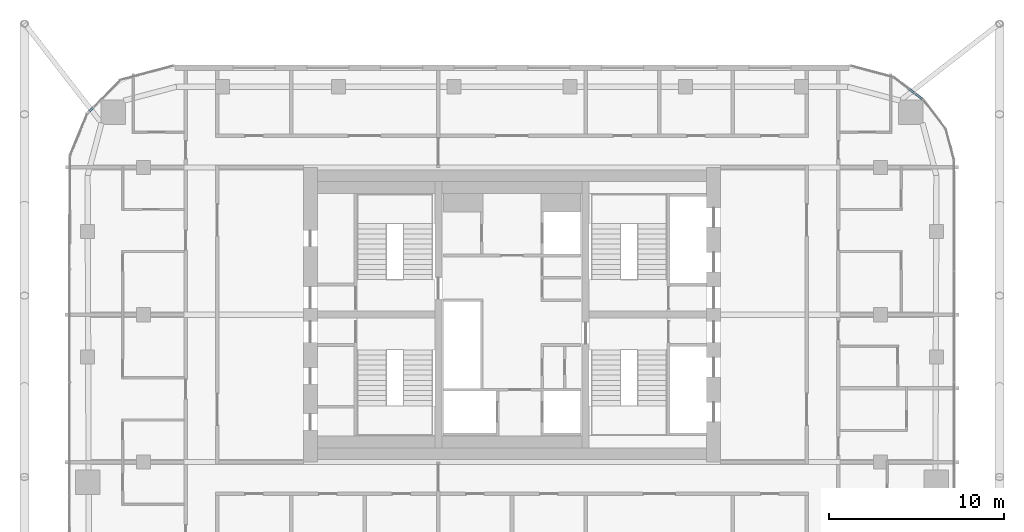
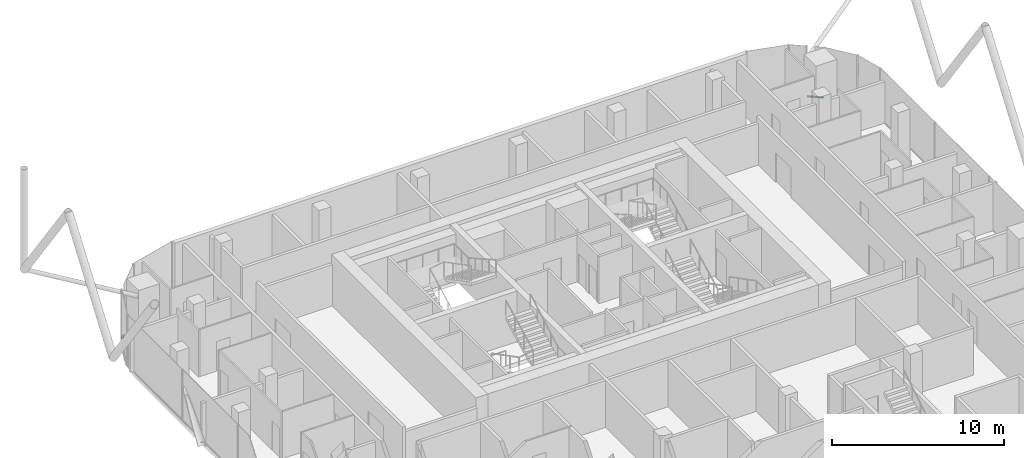
# One storey, part 13 of 28: 3 members, 3 elements without a shape of their own.
"""IFC4 building model written with IfcOpenShell, lengths in metres."""

import ifcopenshell
import ifcopenshell.guid

model = None  # the IFC model being written
_history = None  # IfcOwnerHistory: only IFC2X3 demands one
_inside = {}  # id of a spatial element -> (the spatial element, [elements in it])
_under = {}  # id of a project, library or spatial element -> (it, [spatial elements below it])
_declared = {}  # id of a project -> (the project, [libraries it declares])
_typed = {}  # id of a type object -> (the type object, [elements of that type])
_made_of = {}  # id of a material, layer set ... -> (it, [elements and type objects made of it])


def new_model(schema):
    """Start an empty IFC model of exactly this schema.

    Asked for "IFC4X3", IfcOpenShell would pick the latest addendum, in which some entities
    have other attributes; the version numbers below select the first issue.
    IFC2X3 requires an IfcOwnerHistory on every rooted entity: one is made here for all.
    """
    global model, _history
    if schema == "IFC4X3":
        model = ifcopenshell.file(schema_version=(4, 3, 0, 0))
    else:
        model = ifcopenshell.file(schema=schema)
    _inside.clear()
    _under.clear()
    _declared.clear()
    _typed.clear()
    _made_of.clear()
    _history = None
    if model.schema == "IFC2X3":
        org = make("IfcOrganization", Name="unknown")
        user = make(
            "IfcPersonAndOrganization",
            ThePerson=make("IfcPerson", FamilyName="unknown"),
            TheOrganization=org,
        )
        app = make(
            "IfcApplication",
            ApplicationDeveloper=org,
            Version="unknown",
            ApplicationFullName="unknown",
            ApplicationIdentifier="unknown",
        )
        _history = make(
            "IfcOwnerHistory",
            OwningUser=user,
            OwningApplication=app,
            ChangeAction="ADDED",
            CreationDate=0,
        )
    return model


def make(cls, **values):
    """One entity of the class cls with the attributes given. An attribute that is None is left unset."""
    return model.create_entity(
        cls, **{name: value for name, value in values.items() if value is not None}
    )


def rooted(cls, **values):
    """An entity with a GlobalId (a new one), such as an element, a storey or a relation."""
    return make(cls, GlobalId=ifcopenshell.guid.new(), OwnerHistory=_history, **values)


def si_unit(unit_type, name, prefix=None):
    """IfcSIUnit, for example si_unit("LENGTHUNIT", "METRE", prefix="MILLI")."""
    return make("IfcSIUnit", UnitType=unit_type, Prefix=prefix, Name=name)


def assignment(units):
    """IfcUnitAssignment: the units of a project."""
    return None if units is None else make("IfcUnitAssignment", Units=units)


def point(xyz):
    """IfcCartesianPoint."""
    return None if xyz is None else make("IfcCartesianPoint", Coordinates=xyz)


def direction(xyz):
    """IfcDirection."""
    return None if xyz is None else make("IfcDirection", DirectionRatios=xyz)


def frame(location, z_axis=None, x_axis=None):
    """IfcAxis2Placement3D, a coordinate frame: its origin and axes. An axis left out is left unset."""
    return make(
        "IfcAxis2Placement3D",
        Location=point(location),
        Axis=direction(z_axis),
        RefDirection=direction(x_axis),
    )


def frame_2d(location, x_axis=None):
    """IfcAxis2Placement2D, a coordinate frame in the plane: its origin and x axis."""
    return make(
        "IfcAxis2Placement2D", Location=point(location), RefDirection=direction(x_axis)
    )


def origin():
    """The frame at (0, 0, 0) with its axes left unset."""
    return frame((0.0, 0.0, 0.0))


def origin_2d():
    """The frame at (0, 0) in the plane with its x axis left unset."""
    return frame_2d((0.0, 0.0))


def place(relative_to, where):
    """IfcLocalPlacement: puts the frame where relative to a parent placement (None: the world)."""
    return make(
        "IfcLocalPlacement", PlacementRelTo=relative_to, RelativePlacement=where
    )


def context(
    kind, dimensions, precision=None, world=None, true_north=None, identifier=None
):
    """IfcGeometricRepresentationContext, for example the 3D "Model" context."""
    return make(
        "IfcGeometricRepresentationContext",
        ContextIdentifier=identifier,
        ContextType=kind,
        CoordinateSpaceDimension=dimensions,
        Precision=precision,
        WorldCoordinateSystem=world,
        TrueNorth=true_north,
    )


def subcontext(parent, identifier, kind, view, scale=None):
    """IfcGeometricRepresentationSubContext, for example "Body" below "Model"."""
    return make(
        "IfcGeometricRepresentationSubContext",
        ContextIdentifier=identifier,
        ContextType=kind,
        ParentContext=parent,
        TargetScale=scale,
        TargetView=view,
    )


def project(units=None, contexts=None):
    """IfcProject with its units and contexts."""
    return rooted(
        "IfcProject",
        Name="project",
        RepresentationContexts=contexts,
        UnitsInContext=assignment(units),
    )


def spatial(cls, under=None, at=None, **own):
    """A site, building, storey or space (cls), placed at a placement, below another one or the project."""
    s = rooted(cls, ObjectPlacement=at, **own)
    if under is not None:
        _under.setdefault(under.id(), (under, []))[1].append(s)
    return s


def profile(cls, at=None, kind="AREA", **sizes):
    """A parametric profile (cls). Its sizes go by their IFC names, for example OverallWidth=200.0."""
    return make(cls, ProfileType=kind, Position=at, **sizes)


def rectangle(**sizes):
    """IfcRectangleProfileDef."""
    return profile("IfcRectangleProfileDef", **sizes)


def extrude(swept, where, along, depth):
    """IfcExtrudedAreaSolid: the profile swept, set in the frame where, extruded along a direction by depth."""
    return make(
        "IfcExtrudedAreaSolid",
        SweptArea=swept,
        Position=where,
        ExtrudedDirection=direction(along),
        Depth=depth,
    )


def shape(context_of_items, identifier, shape_type, items):
    """IfcShapeRepresentation: the items that make up one representation, for example the "Body"."""
    return make(
        "IfcShapeRepresentation",
        ContextOfItems=context_of_items,
        RepresentationIdentifier=identifier,
        RepresentationType=shape_type,
        Items=items,
    )


def material(Name=None, Category=None):
    """IfcMaterial."""
    return make("IfcMaterial", Name=Name, Category=Category)


def layer(
    of_material, thickness, ventilated=None, Name=None, Category=None, Priority=None
):
    """IfcMaterialLayer: one layer of a wall or slab, of a material (None: an air gap)."""
    return make(
        "IfcMaterialLayer",
        Material=of_material,
        LayerThickness=thickness,
        IsVentilated=ventilated,
        Name=Name,
        Category=Category,
        Priority=Priority,
    )


def layer_set(layers, Name=None):
    """IfcMaterialLayerSet."""
    return make("IfcMaterialLayerSet", MaterialLayers=layers, LayerSetName=Name)


def material_profile(
    of_material, cross_section, Name=None, Category=None, Priority=None
):
    """IfcMaterialProfile: a cross section and its material."""
    return make(
        "IfcMaterialProfile",
        Name=Name,
        Material=of_material,
        Profile=cross_section,
        Priority=Priority,
        Category=Category,
    )


def profile_set(profiles, Name=None, composite=None):
    """IfcMaterialProfileSet."""
    return make(
        "IfcMaterialProfileSet",
        Name=Name,
        MaterialProfiles=profiles,
        CompositeProfile=composite,
    )


def made_of(thing, what):
    """Note that an element or type object is made of a material, layer set ...; save() writes the relation."""
    if what is not None:
        _made_of.setdefault(what.id(), (what, []))[1].append(thing)
    return thing


def type_object(cls, material=None, **own):
    """A type object (cls), such as IfcWallType, which elements share."""
    return made_of(rooted(cls, **own), material)


def element(
    cls,
    number,
    at=None,
    inside=None,
    cuts=None,
    type_object=None,
    material=None,
    context=None,
    identifier="Body",
    shape_type=None,
    held_by="IfcProductDefinitionShape",
    body=None,
    shapes=None,
    **own,
):
    """One element of the class cls, such as IfcWall. Its Tag is "e" and its number.

    at: its placement. inside: the storey or other place that contains it. cuts: it is an
    opening in that element (IfcRelVoidsElement). A single representation is given by context,
    identifier, shape_type and body (its items); several are given by shapes. held_by: the class
    of the entity that holds the representations. save() writes the other relations.
    """
    e = rooted(cls, Tag="e%d" % number, ObjectPlacement=at, **own)
    if body is not None:
        shapes = [shape(context, identifier, shape_type, body)]
    if shapes is not None:
        e.Representation = make(held_by, Representations=shapes)
    if inside is not None:
        _inside.setdefault(inside.id(), (inside, []))[1].append(e)
    if cuts is not None:
        rooted(
            "IfcRelVoidsElement", RelatingBuildingElement=cuts, RelatedOpeningElement=e
        )
    if type_object is not None:
        _typed.setdefault(type_object.id(), (type_object, []))[1].append(e)
    return made_of(e, material)


def aggregate(whole, parts):
    """IfcRelAggregates: a whole, such as a stair, and the parts it consists of."""
    return rooted("IfcRelAggregates", RelatingObject=whole, RelatedObjects=parts)


def save(model, path):
    """Write the relations noted so far, then the file.

    IfcRelAggregates (storeys below a building ...), IfcRelContainedInSpatialStructure (elements
    in a storey), IfcRelDefinesByType, IfcRelAssociatesMaterial and IfcRelDeclares: one each for
    every whole, place, type object, material and project.
    """
    for whole, parts in _under.values():
        aggregate(whole, parts)
    for where, things in _inside.values():
        rooted(
            "IfcRelContainedInSpatialStructure",
            RelatedElements=things,
            RelatingStructure=where,
        )
    for kind, things in _typed.values():
        rooted("IfcRelDefinesByType", RelatedObjects=things, RelatingType=kind)
    for what, things in _made_of.values():
        rooted("IfcRelAssociatesMaterial", RelatedObjects=things, RelatingMaterial=what)
    for by, libraries in _declared.values():
        rooted("IfcRelDeclares", RelatingContext=by, RelatedDefinitions=libraries)
    model.write(path)


model = new_model("IFC4")

# Units and contexts
model_context = context("Model", 3, precision=1e-05, world=origin(), true_north=direction((0.0, 1.0)))
body_context = subcontext(model_context, "Body", "Model", "MODEL_VIEW")
ifc_project = project(units=[si_unit("LENGTHUNIT", "METRE"), si_unit("AREAUNIT", "SQUARE_METRE"), si_unit("VOLUMEUNIT", "CUBIC_METRE"), si_unit("PLANEANGLEUNIT", "RADIAN"), si_unit("MASSUNIT", "GRAM", prefix="KILO")], contexts=[model_context])

# Site, building, storey
site_placement = place(None, origin())
site = spatial("IfcSite", under=ifc_project, at=site_placement, CompositionType="ELEMENT")
building_placement = place(site_placement, origin())
building = spatial("IfcBuilding", under=site, at=building_placement, Name="Marenta Gate Hotel Tower", CompositionType="ELEMENT")
storey_placement = place(building_placement, frame((0.0, 0.0, 241.699951171875)))
storey = spatial("IfcBuildingStorey", under=building, at=storey_placement, Name="L57", CompositionType="ELEMENT", Elevation=241.699951171875)

# Curtain wall, member
ifc_material_1 = material(Name="Tinted insulated glass in bronze anodised frame", Category="glass")
ifc_layer = layer(ifc_material_1, 0.1201171875)
ifc_layer_set = layer_set([ifc_layer], Name="Tinted insulated glass in bronze anodised frame")
curtain_wall_type = type_object("IfcCurtainWallType", Name="Tower unitised curtain wall CW1", PredefinedType="NOTDEFINED", material=ifc_layer_set)
curtain_wall_1_placement = place(storey_placement, origin())
curtain_wall_1 = element("IfcCurtainWall", 1, at=curtain_wall_1_placement, inside=storey, type_object=curtain_wall_type, Name="CW1 run G02", PredefinedType="NOTDEFINED")
ifc_material_2 = material(Name="Bronze anodised aluminium", Category="aluminium")
ifc_material_profile = material_profile(ifc_material_2, rectangle(XDim=0.1201171875, YDim=0.06005859375, at=origin_2d()), Name="Transom CW1 60x120 bronze anodised aluminium")
ifc_profile_set = profile_set([ifc_material_profile], Name="Bronze anodised aluminium")
member_type = type_object("IfcMemberType", Name="Transom CW1 60x120 bronze anodised aluminium", PredefinedType="USERDEFINED", material=ifc_profile_set)
member_1_placement = place(storey_placement, frame((-23.884521484375, 20.220458984375, 0.030029296875), z_axis=(-0.707106781187, -0.707106781187, 0.0), x_axis=(0.707106781187, -0.707106781187, 0.0)))
member_1 = element("IfcMember", 2, at=member_1_placement, type_object=member_type, Name="CW1 transom 1.1", ObjectType="TRANSOM", PredefinedType="USERDEFINED", context=body_context, shape_type="SweptSolid", body=[
    extrude(rectangle(XDim=0.1201171875, YDim=0.06005859375, at=origin_2d()), origin(), (0.0, 0.0, 1.0), 0.336669921875),
])
aggregate(curtain_wall_1, [member_1])

curtain_wall_2_placement = place(storey_placement, origin())
curtain_wall_2 = element("IfcCurtainWall", 3, at=curtain_wall_2_placement, inside=storey, type_object=curtain_wall_type, Name="CW1 run G22", PredefinedType="NOTDEFINED")
member_2_placement = place(storey_placement, frame((23.405029296875, 20.689208984375, 0.030029296875), z_axis=(-0.793396206785, 0.608705560233, 0.0), x_axis=(-0.608705560233, -0.793396206785, 0.0)))
member_2 = element("IfcMember", 4, at=member_2_placement, type_object=member_type, Name="CW1 transom 1.1", ObjectType="TRANSOM", PredefinedType="USERDEFINED", context=body_context, shape_type="SweptSolid", body=[
    extrude(rectangle(XDim=0.1201171875, YDim=0.06005859375, at=origin_2d()), origin(), (0.0, 0.0, 1.0), 0.5048828125),
])
aggregate(curtain_wall_2, [member_2])

curtain_wall_3_placement = place(storey_placement, origin())
curtain_wall_3 = element("IfcCurtainWall", 5, at=curtain_wall_3_placement, inside=storey, type_object=curtain_wall_type, Name="CW1 run G23", PredefinedType="NOTDEFINED")
member_3_placement = place(storey_placement, frame((22.956787109375, 21.033203125, 0.030029296875), z_axis=(-0.793423480353, 0.608670009796, 0.0), x_axis=(-0.608670009796, -0.793423480353, 0.0)))
member_3 = element("IfcMember", 6, at=member_3_placement, type_object=member_type, Name="CW1 transom 1.1", ObjectType="TRANSOM", PredefinedType="USERDEFINED", context=body_context, shape_type="SweptSolid", body=[
    extrude(rectangle(XDim=0.1201171875, YDim=0.06005859375, at=origin_2d()), origin(), (0.0, 0.0, 1.0), 0.408203125),
])
aggregate(curtain_wall_3, [member_3])

save(model, "model.ifc")
